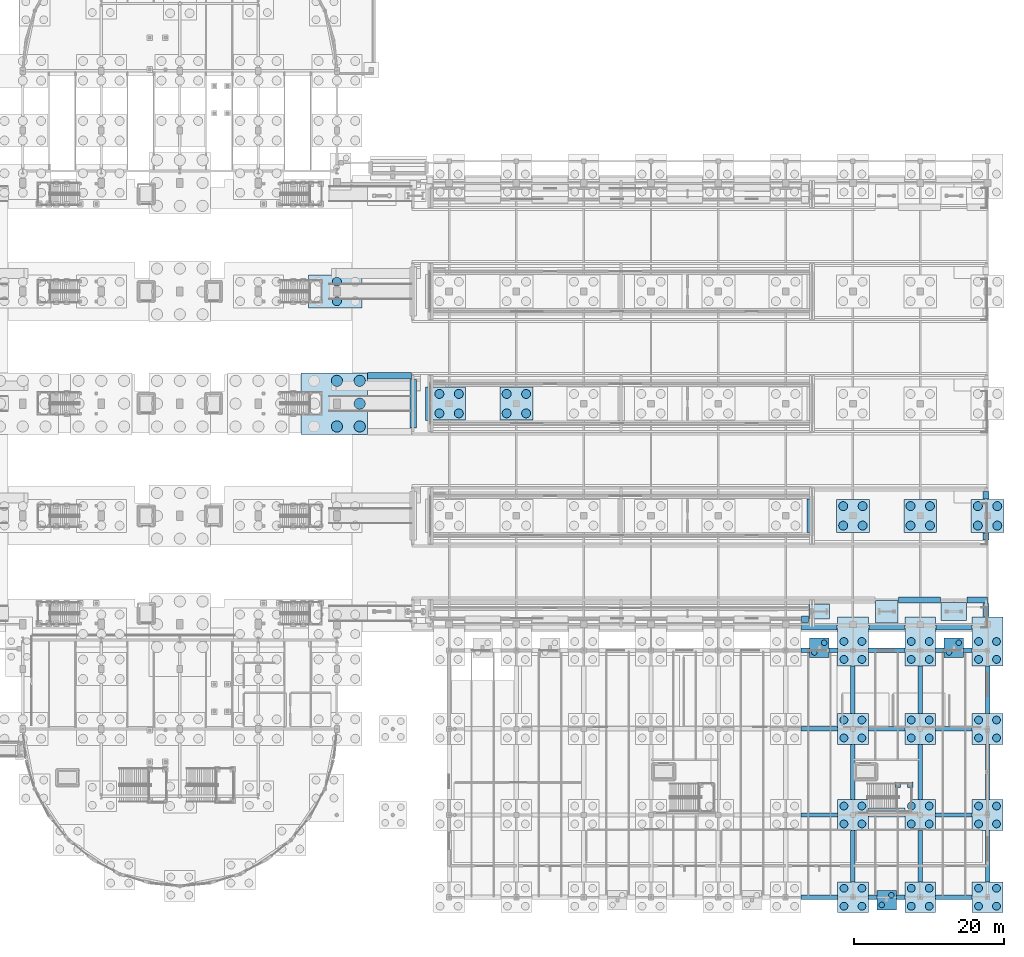
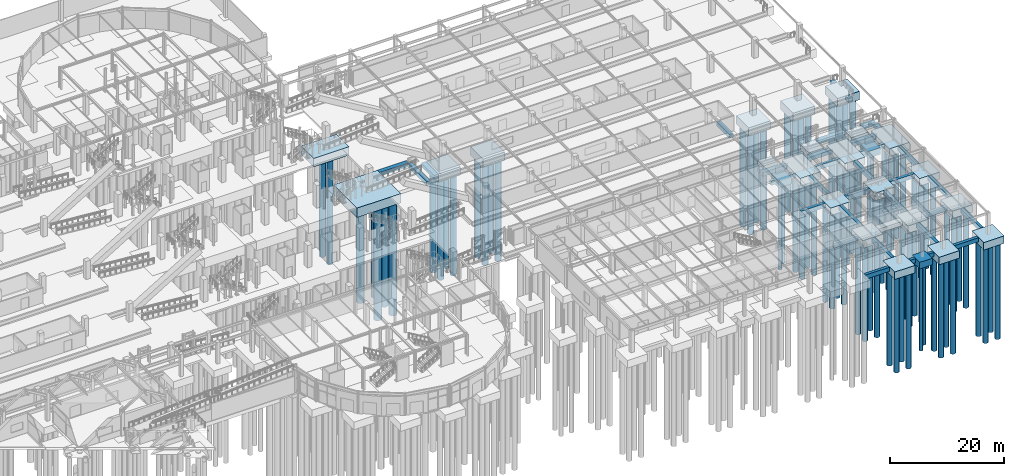
# One storey, part 7 of 160: 81 piles, 64 footings.
"""IFC4 building model written with IfcOpenShell, lengths in metres."""

from ifc_helpers import new_model, si_unit, direction, frame, origin, origin_2d, place, context, subcontext, project, spatial, rectangle, circle, extrude, material, material_profile, profile_set, type_object, element, save


model = new_model("IFC4")

# Units and contexts
model_context = context("Model", 3, precision=1e-05, world=origin(), true_north=direction((0.0, 1.0)))
body_context = subcontext(model_context, "Body", "Model", "MODEL_VIEW")
ifc_project = project(units=[si_unit("LENGTHUNIT", "METRE"), si_unit("AREAUNIT", "SQUARE_METRE"), si_unit("VOLUMEUNIT", "CUBIC_METRE"), si_unit("PLANEANGLEUNIT", "RADIAN"), si_unit("MASSUNIT", "GRAM", prefix="KILO")], contexts=[model_context])

# Site, building, storey
site_placement = place(None, origin())
site = spatial("IfcSite", under=ifc_project, at=site_placement, CompositionType="ELEMENT")
building_placement = place(site_placement, origin())
building = spatial("IfcBuilding", under=site, at=building_placement, Name="Marlcrest Central Station", CompositionType="ELEMENT")
storey_placement = place(building_placement, origin())
storey = spatial("IfcBuildingStorey", under=building, at=storey_placement, Name="L00", CompositionType="ELEMENT", Elevation=0.0)

# Piles
ifc_material_1 = material(Name="Concrete C35/45", Category="concrete")
ifc_material_profile_1 = material_profile(ifc_material_1, circle(Radius=0.375, at=origin_2d()), Name="PILE D750")
ifc_profile_set_1 = profile_set([ifc_material_profile_1], Name="Concrete C35/45")
pile_type_1 = type_object("IfcPileType", Name="BP-01", PredefinedType="BORED", material=ifc_profile_set_1)
for number, where, z_axis, x_axis, name in (
    (1, (192.85009765625, 32.72998046875, -1.300048828125), (0.0, 0.0, -1.0), (1.0, 0.0, 0.0), "pile-BP-01-0321"),
    (2, (194.14990234375, 34.030029296875, -1.300048828125), (0.0, 0.0, -1.0), (1.0, 0.0, 0.0), "pile-BP-01-0322"),
    (3, (201.85009765625, -1.030029296875, -1.300048828125), (0.0, 0.0, -1.0), (1.0, 0.0, 0.0), "pile-BP-01-0323"),
    (4, (203.14990234375, 0.27001953125, -1.300048828125), (0.0, 0.0, -1.0), (1.0, 0.0, 0.0), "pile-BP-01-0324"),
    (5, (210.85009765625, 32.72998046875, -1.300048828125), (0.0, 0.0, -1.0), (1.0, 0.0, 0.0), "pile-BP-01-0325"),
    (6, (212.14990234375, 34.030029296875, -1.300048828125), (0.0, 0.0, -1.0), (1.0, 0.0, 0.0), "pile-BP-01-0326"),
):
    element("IfcPile", number, at=place(storey_placement, frame(where, z_axis=z_axis, x_axis=x_axis)), inside=storey, type_object=pile_type_1, Name=name, PredefinedType="BORED", context=body_context, shape_type="SweptSolid", body=[
        extrude(circle(Radius=0.375, at=origin_2d()), origin(), (0.0, 0.0, 1.0), 18.0),
    ])
ifc_material_profile_2 = material_profile(ifc_material_1, circle(Radius=0.52490234375, at=origin_2d()), Name="PILE D1050")
ifc_profile_set_2 = profile_set([ifc_material_profile_2], Name="Concrete C35/45")
pile_type_2 = type_object("IfcPileType", Name="BP-03", PredefinedType="BORED", material=ifc_profile_set_2)
for number, where, z_axis, x_axis, name in (
    (7, (196.800048828125, -1.199951171875, -1.5), (0.0, 0.0, -1.0), (1.0, 0.0, 0.0), "pile-BP-03-0265"),
    (8, (199.199951171875, -1.199951171875, -1.5), (0.0, 0.0, -1.0), (1.0, 0.0, 0.0), "pile-BP-03-0266"),
    (9, (196.800048828125, 1.199951171875, -1.5), (0.0, 0.0, -1.0), (1.0, 0.0, 0.0), "pile-BP-03-0267"),
    (10, (199.199951171875, 1.199951171875, -1.5), (0.0, 0.0, -1.0), (1.0, 0.0, 0.0), "pile-BP-03-0268"),
    (11, (196.800048828125, 9.800048828125, -1.5), (0.0, 0.0, -1.0), (1.0, 0.0, 0.0), "pile-BP-03-0269"),
    (12, (199.199951171875, 9.800048828125, -1.5), (0.0, 0.0, -1.0), (1.0, 0.0, 0.0), "pile-BP-03-0270"),
    (13, (196.800048828125, 12.199951171875, -1.5), (0.0, 0.0, -1.0), (1.0, 0.0, 0.0), "pile-BP-03-0271"),
    (14, (199.199951171875, 12.199951171875, -1.5), (0.0, 0.0, -1.0), (1.0, 0.0, 0.0), "pile-BP-03-0272"),
    (15, (196.800048828125, 21.300048828125, -1.5), (0.0, 0.0, -1.0), (1.0, 0.0, 0.0), "pile-BP-03-0273"),
    (16, (199.199951171875, 21.300048828125, -1.5), (0.0, 0.0, -1.0), (1.0, 0.0, 0.0), "pile-BP-03-0274"),
    (17, (196.800048828125, 23.699951171875, -1.5), (0.0, 0.0, -1.0), (1.0, 0.0, 0.0), "pile-BP-03-0275"),
    (18, (199.199951171875, 23.699951171875, -1.5), (0.0, 0.0, -1.0), (1.0, 0.0, 0.0), "pile-BP-03-0276"),
    (19, (196.800048828125, 31.800048828125, -1.5), (0.0, 0.0, -1.0), (1.0, 0.0, 0.0), "pile-BP-03-0277"),
    (20, (199.199951171875, 31.800048828125, -1.5), (0.0, 0.0, -1.0), (1.0, 0.0, 0.0), "pile-BP-03-0278"),
    (21, (196.800048828125, 34.199951171875, -1.5), (0.0, 0.0, -1.0), (1.0, 0.0, 0.0), "pile-BP-03-0279"),
    (22, (199.199951171875, 34.199951171875, -1.5), (0.0, 0.0, -1.0), (1.0, 0.0, 0.0), "pile-BP-03-0280"),
    (23, (205.800048828125, -1.199951171875, -1.5), (0.0, 0.0, -1.0), (1.0, 0.0, 0.0), "pile-BP-03-0281"),
    (24, (208.199951171875, -1.199951171875, -1.5), (0.0, 0.0, -1.0), (1.0, 0.0, 0.0), "pile-BP-03-0282"),
    (25, (205.800048828125, 1.199951171875, -1.5), (0.0, 0.0, -1.0), (1.0, 0.0, 0.0), "pile-BP-03-0283"),
    (26, (208.199951171875, 1.199951171875, -1.5), (0.0, 0.0, -1.0), (1.0, 0.0, 0.0), "pile-BP-03-0284"),
    (27, (205.800048828125, 9.800048828125, -1.5), (0.0, 0.0, -1.0), (1.0, 0.0, 0.0), "pile-BP-03-0285"),
    (28, (208.199951171875, 9.800048828125, -1.5), (0.0, 0.0, -1.0), (1.0, 0.0, 0.0), "pile-BP-03-0286"),
    (29, (205.800048828125, 12.199951171875, -1.5), (0.0, 0.0, -1.0), (1.0, 0.0, 0.0), "pile-BP-03-0287"),
    (30, (208.199951171875, 12.199951171875, -1.5), (0.0, 0.0, -1.0), (1.0, 0.0, 0.0), "pile-BP-03-0288"),
    (31, (205.800048828125, 21.300048828125, -1.5), (0.0, 0.0, -1.0), (1.0, 0.0, 0.0), "pile-BP-03-0289"),
    (32, (208.199951171875, 21.300048828125, -1.5), (0.0, 0.0, -1.0), (1.0, 0.0, 0.0), "pile-BP-03-0290"),
    (33, (205.800048828125, 23.699951171875, -1.5), (0.0, 0.0, -1.0), (1.0, 0.0, 0.0), "pile-BP-03-0291"),
    (34, (208.199951171875, 23.699951171875, -1.5), (0.0, 0.0, -1.0), (1.0, 0.0, 0.0), "pile-BP-03-0292"),
    (35, (205.800048828125, 31.800048828125, -1.5), (0.0, 0.0, -1.0), (1.0, 0.0, 0.0), "pile-BP-03-0293"),
    (36, (208.199951171875, 31.800048828125, -1.5), (0.0, 0.0, -1.0), (1.0, 0.0, 0.0), "pile-BP-03-0294"),
    (37, (205.800048828125, 34.199951171875, -1.5), (0.0, 0.0, -1.0), (1.0, 0.0, 0.0), "pile-BP-03-0295"),
    (38, (208.199951171875, 34.199951171875, -1.5), (0.0, 0.0, -1.0), (1.0, 0.0, 0.0), "pile-BP-03-0296"),
    (39, (214.800048828125, -1.199951171875, -1.5), (0.0, 0.0, -1.0), (1.0, 0.0, 0.0), "pile-BP-03-0297"),
    (40, (217.199951171875, -1.199951171875, -1.5), (0.0, 0.0, -1.0), (1.0, 0.0, 0.0), "pile-BP-03-0298"),
    (41, (214.800048828125, 1.199951171875, -1.5), (0.0, 0.0, -1.0), (1.0, 0.0, 0.0), "pile-BP-03-0299"),
    (42, (217.199951171875, 1.199951171875, -1.5), (0.0, 0.0, -1.0), (1.0, 0.0, 0.0), "pile-BP-03-0300"),
    (43, (214.800048828125, 9.800048828125, -1.5), (0.0, 0.0, -1.0), (1.0, 0.0, 0.0), "pile-BP-03-0301"),
    (44, (217.199951171875, 9.800048828125, -1.5), (0.0, 0.0, -1.0), (1.0, 0.0, 0.0), "pile-BP-03-0302"),
    (45, (214.800048828125, 12.199951171875, -1.5), (0.0, 0.0, -1.0), (1.0, 0.0, 0.0), "pile-BP-03-0303"),
    (46, (217.199951171875, 12.199951171875, -1.5), (0.0, 0.0, -1.0), (1.0, 0.0, 0.0), "pile-BP-03-0304"),
    (47, (214.800048828125, 21.300048828125, -1.5), (0.0, 0.0, -1.0), (1.0, 0.0, 0.0), "pile-BP-03-0305"),
    (48, (217.199951171875, 21.300048828125, -1.5), (0.0, 0.0, -1.0), (1.0, 0.0, 0.0), "pile-BP-03-0306"),
    (49, (214.800048828125, 23.699951171875, -1.5), (0.0, 0.0, -1.0), (1.0, 0.0, 0.0), "pile-BP-03-0307"),
    (50, (217.199951171875, 23.699951171875, -1.5), (0.0, 0.0, -1.0), (1.0, 0.0, 0.0), "pile-BP-03-0308"),
    (51, (214.800048828125, 31.800048828125, -1.5), (0.0, 0.0, -1.0), (1.0, 0.0, 0.0), "pile-BP-03-0309"),
    (52, (217.199951171875, 31.800048828125, -1.5), (0.0, 0.0, -1.0), (1.0, 0.0, 0.0), "pile-BP-03-0310"),
    (53, (214.800048828125, 34.199951171875, -1.5), (0.0, 0.0, -1.0), (1.0, 0.0, 0.0), "pile-BP-03-0311"),
    (54, (217.199951171875, 34.199951171875, -1.5), (0.0, 0.0, -1.0), (1.0, 0.0, 0.0), "pile-BP-03-0312"),
):
    element("IfcPile", number, at=place(storey_placement, frame(where, z_axis=z_axis, x_axis=x_axis)), inside=storey, type_object=pile_type_2, Name=name, PredefinedType="BORED", context=body_context, shape_type="SweptSolid", body=[
        extrude(circle(Radius=0.52490234375, at=origin_2d()), origin(), (0.0, 0.0, 1.0), 20.5),
    ])
ifc_material_profile_3 = material_profile(ifc_material_1, circle(Radius=0.60009765625, at=origin_2d()), Name="PILE D1200")
ifc_profile_set_3 = profile_set([ifc_material_profile_3], Name="Concrete C35/45")
pile_type_3 = type_object("IfcPileType", Name="BP-04", PredefinedType="BORED", material=ifc_profile_set_3)
for number, where, z_axis, x_axis, name in (
    (55, (142.699951171875, 64.699951171875, -1.699951171875), (0.0, 0.0, -1.0), (1.0, 0.0, 0.0), "pile-BP-04-0557"),
    (56, (145.300048828125, 64.699951171875, -1.699951171875), (0.0, 0.0, -1.0), (1.0, 0.0, 0.0), "pile-BP-04-0558"),
    (57, (142.699951171875, 67.300048828125, -1.699951171875), (0.0, 0.0, -1.0), (1.0, 0.0, 0.0), "pile-BP-04-0559"),
    (58, (145.300048828125, 67.300048828125, -1.699951171875), (0.0, 0.0, -1.0), (1.0, 0.0, 0.0), "pile-BP-04-0560"),
    (59, (151.699951171875, 64.699951171875, -1.699951171875), (0.0, 0.0, -1.0), (1.0, 0.0, 0.0), "pile-BP-04-0573"),
    (60, (154.300048828125, 64.699951171875, -1.699951171875), (0.0, 0.0, -1.0), (1.0, 0.0, 0.0), "pile-BP-04-0574"),
    (61, (151.699951171875, 67.300048828125, -1.699951171875), (0.0, 0.0, -1.0), (1.0, 0.0, 0.0), "pile-BP-04-0575"),
    (62, (154.300048828125, 67.300048828125, -1.699951171875), (0.0, 0.0, -1.0), (1.0, 0.0, 0.0), "pile-BP-04-0576"),
    (63, (196.699951171875, 49.699951171875, -1.699951171875), (0.0, 0.0, -1.0), (1.0, 0.0, 0.0), "pile-BP-04-0649"),
    (64, (199.300048828125, 49.699951171875, -1.699951171875), (0.0, 0.0, -1.0), (1.0, 0.0, 0.0), "pile-BP-04-0650"),
    (65, (196.699951171875, 52.300048828125, -1.699951171875), (0.0, 0.0, -1.0), (1.0, 0.0, 0.0), "pile-BP-04-0651"),
    (66, (199.300048828125, 52.300048828125, -1.699951171875), (0.0, 0.0, -1.0), (1.0, 0.0, 0.0), "pile-BP-04-0652"),
    (67, (205.699951171875, 49.699951171875, -1.699951171875), (0.0, 0.0, -1.0), (1.0, 0.0, 0.0), "pile-BP-04-0665"),
    (68, (208.300048828125, 49.699951171875, -1.699951171875), (0.0, 0.0, -1.0), (1.0, 0.0, 0.0), "pile-BP-04-0666"),
    (69, (205.699951171875, 52.300048828125, -1.699951171875), (0.0, 0.0, -1.0), (1.0, 0.0, 0.0), "pile-BP-04-0667"),
    (70, (208.300048828125, 52.300048828125, -1.699951171875), (0.0, 0.0, -1.0), (1.0, 0.0, 0.0), "pile-BP-04-0668"),
    (71, (214.699951171875, 49.699951171875, -1.699951171875), (0.0, 0.0, -1.0), (1.0, 0.0, 0.0), "pile-BP-04-0681"),
    (72, (217.300048828125, 49.699951171875, -1.699951171875), (0.0, 0.0, -1.0), (1.0, 0.0, 0.0), "pile-BP-04-0682"),
    (73, (214.699951171875, 52.300048828125, -1.699951171875), (0.0, 0.0, -1.0), (1.0, 0.0, 0.0), "pile-BP-04-0683"),
    (74, (217.300048828125, 52.300048828125, -1.699951171875), (0.0, 0.0, -1.0), (1.0, 0.0, 0.0), "pile-BP-04-0684"),
):
    element("IfcPile", number, at=place(storey_placement, frame(where, z_axis=z_axis, x_axis=x_axis)), inside=storey, type_object=pile_type_3, Name=name, PredefinedType="BORED", context=body_context, shape_type="SweptSolid", body=[
        extrude(circle(Radius=0.60009765625, at=origin_2d()), origin(), (0.0, 0.0, 1.0), 21.5),
    ])
for number, where, z_axis, x_axis, name in (
    (75, (129.0, 79.699951171875, -1.699951171875), (0.0, 0.0, -1.0), (1.0, 0.0, 0.0), "pile-BP-04-0858"),
    (76, (129.0, 82.300048828125, -1.699951171875), (0.0, 0.0, -1.0), (1.0, 0.0, 0.0), "pile-BP-04-0861"),
):
    element("IfcPile", number, at=place(storey_placement, frame(where, z_axis=z_axis, x_axis=x_axis)), inside=storey, type_object=pile_type_3, Name=name, PredefinedType="BORED", context=body_context, shape_type="SweptSolid", body=[
        extrude(circle(Radius=0.60009765625, at=origin_2d()), origin(), (0.0, 0.0, 1.0), 22.5),
    ])
ifc_material_profile_4 = material_profile(ifc_material_1, circle(Radius=0.75, at=origin_2d()), Name="PILE D1500")
ifc_profile_set_4 = profile_set([ifc_material_profile_4], Name="Concrete C35/45")
pile_type_4 = type_object("IfcPileType", Name="BP-06", PredefinedType="BORED", material=ifc_profile_set_4)
for number, where, z_axis, x_axis, name in (
    (77, (129.0, 62.949951171875, -1.89990234375), (0.0, 0.0, -1.0), (1.0, 0.0, 0.0), "pile-BP-06-0850"),
    (78, (132.050048828125, 62.949951171875, -1.89990234375), (0.0, 0.0, -1.0), (1.0, 0.0, 0.0), "pile-BP-06-0851"),
    (79, (132.050048828125, 66.0, -1.89990234375), (0.0, 0.0, -1.0), (1.0, 0.0, 0.0), "pile-BP-06-0853"),
    (80, (129.0, 69.050048828125, -1.89990234375), (0.0, 0.0, -1.0), (1.0, 0.0, 0.0), "pile-BP-06-0855"),
    (81, (132.050048828125, 69.050048828125, -1.89990234375), (0.0, 0.0, -1.0), (1.0, 0.0, 0.0), "pile-BP-06-0856"),
):
    element("IfcPile", number, at=place(storey_placement, frame(where, z_axis=z_axis, x_axis=x_axis)), inside=storey, type_object=pile_type_4, Name=name, PredefinedType="BORED", context=body_context, shape_type="SweptSolid", body=[
        extrude(circle(Radius=0.75, at=origin_2d()), origin(), (0.0, 0.0, 1.0), 24.0),
    ])

# Footings
ifc_material_2 = material(Name="Concrete C40/50", Category="concrete")
footing_type_1 = type_object("IfcFootingType", Name="GB-01", PredefinedType="FOOTING_BEAM", material=ifc_material_2)
for number, where, z_axis, x_axis, name in (
    (82, (193.5, 0.0, -0.89990234375), (0.0, 0.0, 1.0), (1.0, 0.0, 0.0), "ftg-gb-0080"),
    (83, (193.5, 11.0, -0.89990234375), (0.0, 0.0, 1.0), (1.0, 0.0, 0.0), "ftg-gb-0081"),
    (84, (193.5, 22.5, -0.89990234375), (0.0, 0.0, 1.0), (1.0, 0.0, 0.0), "ftg-gb-0082"),
):
    element("IfcFooting", number, at=place(storey_placement, frame(where, z_axis=z_axis, x_axis=x_axis)), inside=storey, type_object=footing_type_1, Name=name, PredefinedType="FOOTING_BEAM", context=body_context, shape_type="SweptSolid", body=[
        extrude(rectangle(XDim=4.860107421875, YDim=0.60009765625, at=origin_2d()), origin(), (0.0, 0.0, 1.0), 0.89990234375),
    ])
for number, where, z_axis, x_axis, name in (
    (85, (191.6298828125, 33.0, -0.89990234375), (0.0, 0.0, 1.0), (1.0, 0.0, 0.0), "ftg-gb-0083"),
    (86, (195.3701171875, 33.0, -0.89990234375), (0.0, 0.0, 1.0), (1.0, 0.0, 0.0), "ftg-gb-0083"),
    (87, (200.6298828125, 0.0, -0.89990234375), (0.0, 0.0, 1.0), (1.0, 0.0, 0.0), "ftg-gb-0084"),
    (88, (204.3701171875, 0.0, -0.89990234375), (0.0, 0.0, 1.0), (1.0, 0.0, 0.0), "ftg-gb-0084"),
):
    element("IfcFooting", number, at=place(storey_placement, frame(where, z_axis=z_axis, x_axis=x_axis)), inside=storey, type_object=footing_type_1, Name=name, PredefinedType="FOOTING_BEAM", context=body_context, shape_type="SweptSolid", body=[
        extrude(rectangle(XDim=1.1201171875, YDim=0.60009765625, at=origin_2d()), origin(), (0.0, 0.0, 1.0), 0.89990234375),
    ])
footing_1_placement = place(storey_placement, frame((202.5, 11.304931640625, -0.89990234375), z_axis=(0.0, 0.0, 1.0), x_axis=(1.0, 0.0, 0.0)))
element("IfcFooting", 89, at=footing_1_placement, inside=storey, type_object=footing_type_1, Name="ftg-gb-0085", PredefinedType="FOOTING_BEAM", context=body_context, shape_type="SweptSolid", body=[
    extrude(rectangle(XDim=4.860107421875, YDim=1.2099609375, at=origin_2d()), origin(), (0.0, 0.0, 1.0), 0.89990234375),
])
for number, where, z_axis, x_axis, name in (
    (90, (202.5, 22.5, -0.89990234375), (0.0, 0.0, 1.0), (1.0, 0.0, 0.0), "ftg-gb-0086"),
    (91, (202.5, 33.0, -0.89990234375), (0.0, 0.0, 1.0), (1.0, 0.0, 0.0), "ftg-gb-0087"),
    (92, (211.5, 0.0, -0.89990234375), (0.0, 0.0, 1.0), (1.0, 0.0, 0.0), "ftg-gb-0088"),
    (93, (211.5, 11.0, -0.89990234375), (0.0, 0.0, 1.0), (1.0, 0.0, 0.0), "ftg-gb-0089"),
    (94, (211.5, 22.5, -0.89990234375), (0.0, 0.0, 1.0), (1.0, 0.0, 0.0), "ftg-gb-0090"),
):
    element("IfcFooting", number, at=place(storey_placement, frame(where, z_axis=z_axis, x_axis=x_axis)), inside=storey, type_object=footing_type_1, Name=name, PredefinedType="FOOTING_BEAM", context=body_context, shape_type="SweptSolid", body=[
        extrude(rectangle(XDim=4.860107421875, YDim=0.60009765625, at=origin_2d()), origin(), (0.0, 0.0, 1.0), 0.89990234375),
    ])
for number, where, z_axis, x_axis, name in (
    (95, (209.6298828125, 33.0, -0.89990234375), (0.0, 0.0, 1.0), (1.0, 0.0, 0.0), "ftg-gb-0091"),
    (96, (213.3701171875, 33.0, -0.89990234375), (0.0, 0.0, 1.0), (1.0, 0.0, 0.0), "ftg-gb-0091"),
):
    element("IfcFooting", number, at=place(storey_placement, frame(where, z_axis=z_axis, x_axis=x_axis)), inside=storey, type_object=footing_type_1, Name=name, PredefinedType="FOOTING_BEAM", context=body_context, shape_type="SweptSolid", body=[
        extrude(rectangle(XDim=1.1201171875, YDim=0.60009765625, at=origin_2d()), origin(), (0.0, 0.0, 1.0), 0.89990234375),
    ])
footing_2_placement = place(storey_placement, frame((198.0, 5.5, -0.89990234375), z_axis=(0.0, 0.0, 1.0), x_axis=(1.0, 0.0, 0.0)))
element("IfcFooting", 97, at=footing_2_placement, inside=storey, type_object=footing_type_1, Name="ftg-gb-0110", PredefinedType="FOOTING_BEAM", context=body_context, shape_type="SweptSolid", body=[
    extrude(rectangle(XDim=0.60009765625, YDim=6.860107421875, at=origin_2d()), origin(), (0.0, 0.0, 1.0), 0.89990234375),
])
footing_3_placement = place(storey_placement, frame((198.0, 16.75, -0.89990234375), z_axis=(0.0, 0.0, 1.0), x_axis=(1.0, 0.0, 0.0)))
element("IfcFooting", 98, at=footing_3_placement, inside=storey, type_object=footing_type_1, Name="ftg-gb-0111", PredefinedType="FOOTING_BEAM", context=body_context, shape_type="SweptSolid", body=[
    extrude(rectangle(XDim=0.60009765625, YDim=7.360107421875, at=origin_2d()), origin(), (0.0, 0.0, 1.0), 0.89990234375),
])
footing_4_placement = place(storey_placement, frame((198.0, 27.75, -0.89990234375), z_axis=(0.0, 0.0, 1.0), x_axis=(1.0, 0.0, 0.0)))
element("IfcFooting", 99, at=footing_4_placement, inside=storey, type_object=footing_type_1, Name="ftg-gb-0112", PredefinedType="FOOTING_BEAM", context=body_context, shape_type="SweptSolid", body=[
    extrude(rectangle(XDim=0.60009765625, YDim=6.360107421875, at=origin_2d()), origin(), (0.0, 0.0, 1.0), 0.89990234375),
])
footing_5_placement = place(storey_placement, frame((207.0, 5.5, -0.89990234375), z_axis=(0.0, 0.0, 1.0), x_axis=(1.0, 0.0, 0.0)))
element("IfcFooting", 100, at=footing_5_placement, inside=storey, type_object=footing_type_1, Name="ftg-gb-0113", PredefinedType="FOOTING_BEAM", context=body_context, shape_type="SweptSolid", body=[
    extrude(rectangle(XDim=0.60009765625, YDim=6.860107421875, at=origin_2d()), origin(), (0.0, 0.0, 1.0), 0.89990234375),
])
footing_6_placement = place(storey_placement, frame((207.0, 16.75, -0.89990234375), z_axis=(0.0, 0.0, 1.0), x_axis=(1.0, 0.0, 0.0)))
element("IfcFooting", 101, at=footing_6_placement, inside=storey, type_object=footing_type_1, Name="ftg-gb-0114", PredefinedType="FOOTING_BEAM", context=body_context, shape_type="SweptSolid", body=[
    extrude(rectangle(XDim=0.60009765625, YDim=7.360107421875, at=origin_2d()), origin(), (0.0, 0.0, 1.0), 0.89990234375),
])
footing_7_placement = place(storey_placement, frame((207.0, 27.75, -0.89990234375), z_axis=(0.0, 0.0, 1.0), x_axis=(1.0, 0.0, 0.0)))
element("IfcFooting", 102, at=footing_7_placement, inside=storey, type_object=footing_type_1, Name="ftg-gb-0115", PredefinedType="FOOTING_BEAM", context=body_context, shape_type="SweptSolid", body=[
    extrude(rectangle(XDim=0.60009765625, YDim=6.360107421875, at=origin_2d()), origin(), (0.0, 0.0, 1.0), 0.89990234375),
])
footing_8_placement = place(storey_placement, frame((216.0, 5.5, -0.89990234375), z_axis=(0.0, 0.0, 1.0), x_axis=(1.0, 0.0, 0.0)))
element("IfcFooting", 103, at=footing_8_placement, inside=storey, type_object=footing_type_1, Name="ftg-gb-0116", PredefinedType="FOOTING_BEAM", context=body_context, shape_type="SweptSolid", body=[
    extrude(rectangle(XDim=0.60009765625, YDim=6.860107421875, at=origin_2d()), origin(), (0.0, 0.0, 1.0), 0.89990234375),
])
footing_9_placement = place(storey_placement, frame((216.0, 16.75, -0.89990234375), z_axis=(0.0, 0.0, 1.0), x_axis=(1.0, 0.0, 0.0)))
element("IfcFooting", 104, at=footing_9_placement, inside=storey, type_object=footing_type_1, Name="ftg-gb-0117", PredefinedType="FOOTING_BEAM", context=body_context, shape_type="SweptSolid", body=[
    extrude(rectangle(XDim=0.60009765625, YDim=7.360107421875, at=origin_2d()), origin(), (0.0, 0.0, 1.0), 0.89990234375),
])
footing_10_placement = place(storey_placement, frame((216.0, 27.75, -0.89990234375), z_axis=(0.0, 0.0, 1.0), x_axis=(1.0, 0.0, 0.0)))
element("IfcFooting", 105, at=footing_10_placement, inside=storey, type_object=footing_type_1, Name="ftg-gb-0118", PredefinedType="FOOTING_BEAM", context=body_context, shape_type="SweptSolid", body=[
    extrude(rectangle(XDim=0.60009765625, YDim=6.360107421875, at=origin_2d()), origin(), (0.0, 0.0, 1.0), 0.89990234375),
])
footing_type_2 = type_object("IfcFootingType", Name="PC-01", PredefinedType="PILE_CAP", material=ifc_material_2)
for number, where, z_axis, x_axis, name in (
    (106, (193.5, 33.3798828125, -1.39990234375), (0.0, 0.0, 1.0), (1.0, 0.0, 0.0), "ftg-cap-0081"),
    (107, (202.5, -0.3798828125, -1.39990234375), (0.0, 0.0, 1.0), (1.0, 0.0, 0.0), "ftg-cap-0082"),
    (108, (211.5, 33.3798828125, -1.39990234375), (0.0, 0.0, 1.0), (1.0, 0.0, 0.0), "ftg-cap-0083"),
):
    element("IfcFooting", number, at=place(storey_placement, frame(where, z_axis=z_axis, x_axis=x_axis)), inside=storey, type_object=footing_type_2, Name=name, PredefinedType="PILE_CAP", context=body_context, shape_type="SweptSolid", body=[
        extrude(rectangle(XDim=2.610107421875, YDim=2.610107421875, at=origin_2d()), origin(), (0.0, 0.0, 1.0), 1.39990234375),
    ])
footing_type_3 = type_object("IfcFootingType", Name="PC-03", PredefinedType="PILE_CAP", material=ifc_material_2)
for number, where, z_axis, x_axis, name in (
    (109, (198.0, 0.0, -1.60009765625), (0.0, 0.0, 1.0), (1.0, 0.0, 0.0), "ftg-cap-0065"),
    (110, (198.0, 11.0, -1.60009765625), (0.0, 0.0, 1.0), (1.0, 0.0, 0.0), "ftg-cap-0066"),
    (111, (198.0, 22.5, -1.60009765625), (0.0, 0.0, 1.0), (1.0, 0.0, 0.0), "ftg-cap-0067"),
):
    element("IfcFooting", number, at=place(storey_placement, frame(where, z_axis=z_axis, x_axis=x_axis)), inside=storey, type_object=footing_type_3, Name=name, PredefinedType="PILE_CAP", context=body_context, shape_type="SweptSolid", body=[
        extrude(rectangle(XDim=4.10009765625, YDim=4.10009765625, at=origin_2d()), origin(), (0.0, 0.0, 1.0), 1.60009765625),
    ])
footing_11_placement = place(storey_placement, frame((198.0, 34.199951171875, -1.60009765625), z_axis=(0.0, 0.0, 1.0), x_axis=(1.0, 0.0, 0.0)))
element("IfcFooting", 112, at=footing_11_placement, inside=storey, type_object=footing_type_3, Name="ftg-cap-0068", PredefinedType="PILE_CAP", context=body_context, shape_type="SweptSolid", body=[
    extrude(rectangle(XDim=4.10009765625, YDim=6.5, at=origin_2d()), origin(), (0.0, 0.0, 1.0), 1.60009765625),
])
for number, where, z_axis, x_axis, name in (
    (113, (207.0, 0.0, -1.60009765625), (0.0, 0.0, 1.0), (1.0, 0.0, 0.0), "ftg-cap-0069"),
    (114, (207.0, 11.0, -1.60009765625), (0.0, 0.0, 1.0), (1.0, 0.0, 0.0), "ftg-cap-0070"),
    (115, (207.0, 22.5, -1.60009765625), (0.0, 0.0, 1.0), (1.0, 0.0, 0.0), "ftg-cap-0071"),
):
    element("IfcFooting", number, at=place(storey_placement, frame(where, z_axis=z_axis, x_axis=x_axis)), inside=storey, type_object=footing_type_3, Name=name, PredefinedType="PILE_CAP", context=body_context, shape_type="SweptSolid", body=[
        extrude(rectangle(XDim=4.10009765625, YDim=4.10009765625, at=origin_2d()), origin(), (0.0, 0.0, 1.0), 1.60009765625),
    ])
footing_12_placement = place(storey_placement, frame((207.0, 34.199951171875, -1.60009765625), z_axis=(0.0, 0.0, 1.0), x_axis=(1.0, 0.0, 0.0)))
element("IfcFooting", 116, at=footing_12_placement, inside=storey, type_object=footing_type_3, Name="ftg-cap-0072", PredefinedType="PILE_CAP", context=body_context, shape_type="SweptSolid", body=[
    extrude(rectangle(XDim=4.10009765625, YDim=6.5, at=origin_2d()), origin(), (0.0, 0.0, 1.0), 1.60009765625),
])
for number, where, z_axis, x_axis, name in (
    (117, (216.0, 0.0, -1.60009765625), (0.0, 0.0, 1.0), (1.0, 0.0, 0.0), "ftg-cap-0073"),
    (118, (216.0, 11.0, -1.60009765625), (0.0, 0.0, 1.0), (1.0, 0.0, 0.0), "ftg-cap-0074"),
    (119, (216.0, 22.5, -1.60009765625), (0.0, 0.0, 1.0), (1.0, 0.0, 0.0), "ftg-cap-0075"),
):
    element("IfcFooting", number, at=place(storey_placement, frame(where, z_axis=z_axis, x_axis=x_axis)), inside=storey, type_object=footing_type_3, Name=name, PredefinedType="PILE_CAP", context=body_context, shape_type="SweptSolid", body=[
        extrude(rectangle(XDim=4.10009765625, YDim=4.10009765625, at=origin_2d()), origin(), (0.0, 0.0, 1.0), 1.60009765625),
    ])
footing_13_placement = place(storey_placement, frame((216.0, 34.199951171875, -1.60009765625), z_axis=(0.0, 0.0, 1.0), x_axis=(1.0, 0.0, 0.0)))
element("IfcFooting", 120, at=footing_13_placement, inside=storey, type_object=footing_type_3, Name="ftg-cap-0076", PredefinedType="PILE_CAP", context=body_context, shape_type="SweptSolid", body=[
    extrude(rectangle(XDim=4.10009765625, YDim=6.5, at=origin_2d()), origin(), (0.0, 0.0, 1.0), 1.60009765625),
])
footing_type_4 = type_object("IfcFootingType", Name="PC-04", PredefinedType="PILE_CAP", material=ifc_material_2)
for number, where, z_axis, x_axis, name in (
    (121, (144.0, 66.0, -1.7998046875), (0.0, 0.0, 1.0), (1.0, 0.0, 0.0), "ftg-cap-0146"),
    (122, (153.0, 66.0, -1.7998046875), (0.0, 0.0, 1.0), (1.0, 0.0, 0.0), "ftg-cap-0150"),
    (123, (198.0, 51.0, -1.7998046875), (0.0, 0.0, 1.0), (1.0, 0.0, 0.0), "ftg-cap-0169"),
    (124, (207.0, 51.0, -1.7998046875), (0.0, 0.0, 1.0), (1.0, 0.0, 0.0), "ftg-cap-0173"),
    (125, (216.0, 51.0, -1.7998046875), (0.0, 0.0, 1.0), (1.0, 0.0, 0.0), "ftg-cap-0177"),
):
    element("IfcFooting", number, at=place(storey_placement, frame(where, z_axis=z_axis, x_axis=x_axis)), inside=storey, type_object=footing_type_4, Name=name, PredefinedType="PILE_CAP", context=body_context, shape_type="SweptSolid", body=[
        extrude(rectangle(XDim=4.39990234375, YDim=4.39990234375, at=origin_2d()), origin(), (0.0, 0.0, 1.0), 1.800048828125),
    ])
footing_type_5 = type_object("IfcFootingType", Name="PC-05", PredefinedType="PILE_CAP", material=ifc_material_2)
footing_14_placement = place(storey_placement, frame((128.7900390625, 81.0, -1.7998046875), z_axis=(0.0, 0.0, 1.0), x_axis=(1.0, 0.0, 0.0)))
element("IfcFooting", 126, at=footing_14_placement, inside=storey, type_object=footing_type_5, Name="ftg-cap-0206", PredefinedType="PILE_CAP", context=body_context, shape_type="SweptSolid", body=[
    extrude(rectangle(XDim=7.1201171875, YDim=4.39990234375, at=origin_2d()), origin(), (0.0, 0.0, 1.0), 1.800048828125),
])
footing_type_6 = type_object("IfcFootingType", Name="PC-06", PredefinedType="PILE_CAP", material=ifc_material_2)
footing_15_placement = place(storey_placement, frame((128.659912109375, 66.0, -2.0), z_axis=(0.0, 0.0, 1.0), x_axis=(1.0, 0.0, 0.0)))
element("IfcFooting", 127, at=footing_15_placement, inside=storey, type_object=footing_type_6, Name="ftg-cap-0205", PredefinedType="PILE_CAP", context=body_context, shape_type="SweptSolid", body=[
    extrude(rectangle(XDim=8.8798828125, YDim=8.199951171875, at=origin_2d()), origin(), (0.0, 0.0, 1.0), 2.0),
])
footing_type_7 = type_object("IfcFootingType", Name="PF-03", PredefinedType="PAD_FOOTING", material=ifc_material_2)
for number, where, z_axis, x_axis, name in (
    (128, (205.669921875, 15.070068359375, -0.43994140625), (0.0, 0.0, 1.0), (1.0, 0.0, 0.0), "htftg-0038-2"),
    (129, (203.989990234375, 15.070068359375, -0.43994140625), (0.0, 0.0, 1.0), (1.0, 0.0, 0.0), "htftg-0038-3"),
):
    element("IfcFooting", number, at=place(storey_placement, frame(where, z_axis=z_axis, x_axis=x_axis)), inside=storey, type_object=footing_type_7, Name=name, PredefinedType="PAD_FOOTING", context=body_context, shape_type="SweptSolid", body=[
        extrude(rectangle(XDim=0.75, YDim=0.75, at=origin_2d()), origin(), (0.0, 0.0, 1.0), 0.43994140625),
    ])
footing_type_8 = type_object("IfcFootingType", Name="PF-05", PredefinedType="PAD_FOOTING", material=ifc_material_2)
footing_16_placement = place(storey_placement, frame((193.5, 38.199951171875, -0.75), z_axis=(0.0, 0.0, 1.0), x_axis=(1.0, 0.0, 0.0)))
element("IfcFooting", 130, at=footing_16_placement, inside=storey, type_object=footing_type_8, Name="ftg-pad-ap-4-0", PredefinedType="PAD_FOOTING", context=body_context, shape_type="SweptSolid", body=[
    extrude(rectangle(XDim=2.800048828125, YDim=2.0, at=origin_2d()), origin(), (0.0, 0.0, 1.0), 0.949951171875),
])
footing_type_9 = type_object("IfcFootingType", Name="PF-06", PredefinedType="PAD_FOOTING", material=ifc_material_2)
footing_17_placement = place(storey_placement, frame((202.5, 38.199951171875, -0.900146484375), z_axis=(0.0, 0.0, 1.0), x_axis=(1.0, 0.0, 0.0)))
element("IfcFooting", 131, at=footing_17_placement, inside=storey, type_object=footing_type_9, Name="ftg-pad-ap-5-0", PredefinedType="PAD_FOOTING", context=body_context, shape_type="SweptSolid", body=[
    extrude(rectangle(XDim=3.0, YDim=3.0, at=origin_2d()), origin(), (0.0, 0.0, 1.0), 1.10009765625),
])
footing_type_10 = type_object("IfcFootingType", Name="PF-07", PredefinedType="PAD_FOOTING", material=ifc_material_2)
footing_18_placement = place(storey_placement, frame((211.5, 38.199951171875, -0.949951171875), z_axis=(0.0, 0.0, 1.0), x_axis=(1.0, 0.0, 0.0)))
element("IfcFooting", 132, at=footing_18_placement, inside=storey, type_object=footing_type_10, Name="ftg-pad-ap-6-0", PredefinedType="PAD_FOOTING", context=body_context, shape_type="SweptSolid", body=[
    extrude(rectangle(XDim=3.39990234375, YDim=2.39990234375, at=origin_2d()), origin(), (0.0, 0.0, 1.0), 1.14990234375),
])
footing_type_11 = type_object("IfcFootingType", Name="SF-01", PredefinedType="STRIP_FOOTING", material=ifc_material_2)
for number, where, z_axis, x_axis, name in (
    (133, (193.5, 36.14990234375, -0.7998046875), (0.0, 0.0, 1.0), (1.0, 0.0, 0.0), "ftg-pw-0027"),
    (134, (202.5, 36.14990234375, -0.7998046875), (0.0, 0.0, 1.0), (1.0, 0.0, 0.0), "ftg-pw-0028"),
    (135, (211.5, 36.14990234375, -0.7998046875), (0.0, 0.0, 1.0), (1.0, 0.0, 0.0), "ftg-pw-0029"),
):
    element("IfcFooting", number, at=place(storey_placement, frame(where, z_axis=z_axis, x_axis=x_axis)), inside=storey, type_object=footing_type_11, Name=name, PredefinedType="STRIP_FOOTING", context=body_context, shape_type="SweptSolid", body=[
        extrude(rectangle(XDim=4.760009765625, YDim=0.85009765625, at=origin_2d()), origin(), (0.0, 0.0, 1.0), 0.800048828125),
    ])
footing_19_placement = place(storey_placement, frame((206.89990234375, 39.75, -0.7998046875), z_axis=(0.0, 0.0, 1.0), x_axis=(1.0, 0.0, 0.0)))
element("IfcFooting", 136, at=footing_19_placement, inside=storey, type_object=footing_type_11, Name="ftg-pw-0031", PredefinedType="STRIP_FOOTING", context=body_context, shape_type="SweptSolid", body=[
    extrude(rectangle(XDim=5.659912109375, YDim=0.85009765625, at=origin_2d()), origin(), (0.0, 0.0, 1.0), 0.800048828125),
])
footing_20_placement = place(storey_placement, frame((214.625, 39.75, -0.7998046875), z_axis=(0.0, 0.0, 1.0), x_axis=(1.0, 0.0, 0.0)))
element("IfcFooting", 137, at=footing_20_placement, inside=storey, type_object=footing_type_11, Name="ftg-pw-0032", PredefinedType="STRIP_FOOTING", context=body_context, shape_type="SweptSolid", body=[
    extrude(rectangle(XDim=2.7099609375, YDim=0.85009765625, at=origin_2d()), origin(), (0.0, 0.0, 1.0), 0.800048828125),
])
footing_21_placement = place(storey_placement, frame((191.574951171875, 37.14990234375, -0.7998046875), z_axis=(0.0, 0.0, 1.0), x_axis=(1.0, 0.0, 0.0)))
element("IfcFooting", 138, at=footing_21_placement, inside=storey, type_object=footing_type_11, Name="ftg-pw-0038", PredefinedType="STRIP_FOOTING", context=body_context, shape_type="SweptSolid", body=[
    extrude(rectangle(XDim=0.909912109375, YDim=0.85009765625, at=origin_2d()), origin(), (0.0, 0.0, 1.0), 0.800048828125),
])
footing_22_placement = place(storey_placement, frame((215.800048828125, 38.387939453125, -0.7998046875), z_axis=(0.0, 0.0, 1.0), x_axis=(1.0, 0.0, 0.0)))
element("IfcFooting", 139, at=footing_22_placement, inside=storey, type_object=footing_type_11, Name="ftg-pw-0043", PredefinedType="STRIP_FOOTING", context=body_context, shape_type="SweptSolid", body=[
    extrude(rectangle(XDim=0.85009765625, YDim=1.735107421875, at=origin_2d()), origin(), (0.0, 0.0, 1.0), 0.800048828125),
])
footing_23_placement = place(storey_placement, frame((192.300048828125, 51.0, -0.7998046875), z_axis=(0.0, 0.0, 1.0), x_axis=(1.0, 0.0, 0.0)))
element("IfcFooting", 140, at=footing_23_placement, inside=storey, type_object=footing_type_11, Name="ftg-pw-0059", PredefinedType="STRIP_FOOTING", context=body_context, shape_type="SweptSolid", body=[
    extrude(rectangle(XDim=0.85009765625, YDim=4.510009765625, at=origin_2d()), origin(), (0.0, 0.0, 1.0), 0.800048828125),
])
for number, where, z_axis, x_axis, name in (
    (141, (215.800048828125, 48.237060546875, -0.7998046875), (0.0, 0.0, 1.0), (1.0, 0.0, 0.0), "ftg-pw-0060"),
    (142, (215.800048828125, 53.762939453125, -0.7998046875), (0.0, 0.0, 1.0), (1.0, 0.0, 0.0), "ftg-pw-0061"),
):
    element("IfcFooting", number, at=place(storey_placement, frame(where, z_axis=z_axis, x_axis=x_axis)), inside=storey, type_object=footing_type_11, Name=name, PredefinedType="STRIP_FOOTING", context=body_context, shape_type="SweptSolid", body=[
        extrude(rectangle(XDim=0.85009765625, YDim=0.985107421875, at=origin_2d()), origin(), (0.0, 0.0, 1.0), 0.800048828125),
    ])
footing_24_placement = place(storey_placement, frame((139.199951171875, 66.0, -0.7998046875), z_axis=(0.0, 0.0, 1.0), x_axis=(1.0, 0.0, 0.0)))
element("IfcFooting", 143, at=footing_24_placement, inside=storey, type_object=footing_type_11, Name="ftg-pw-0074", PredefinedType="STRIP_FOOTING", context=body_context, shape_type="SweptSolid", body=[
    extrude(rectangle(XDim=0.85009765625, YDim=6.510009765625, at=origin_2d()), origin(), (0.0, 0.0, 1.0), 0.800048828125),
])
footing_25_placement = place(storey_placement, frame((141.300048828125, 66.0, -0.7998046875), z_axis=(0.0, 0.0, 1.0), x_axis=(1.0, 0.0, 0.0)))
element("IfcFooting", 144, at=footing_25_placement, inside=storey, type_object=footing_type_11, Name="ftg-pw-0075", PredefinedType="STRIP_FOOTING", context=body_context, shape_type="SweptSolid", body=[
    extrude(rectangle(XDim=0.85009765625, YDim=4.510009765625, at=origin_2d()), origin(), (0.0, 0.0, 1.0), 0.800048828125),
])
footing_26_placement = place(storey_placement, frame((136.0400390625, 69.75, -0.7998046875), z_axis=(0.0, 0.0, 1.0), x_axis=(1.0, 0.0, 0.0)))
element("IfcFooting", 145, at=footing_26_placement, inside=storey, type_object=footing_type_11, Name="ftg-pw-tie-02", PredefinedType="STRIP_FOOTING", context=body_context, shape_type="SweptSolid", body=[
    extrude(rectangle(XDim=5.840087890625, YDim=0.85009765625, at=origin_2d()), origin(), (0.0, 0.0, 1.0), 0.800048828125),
])

save(model, "model.ifc")
